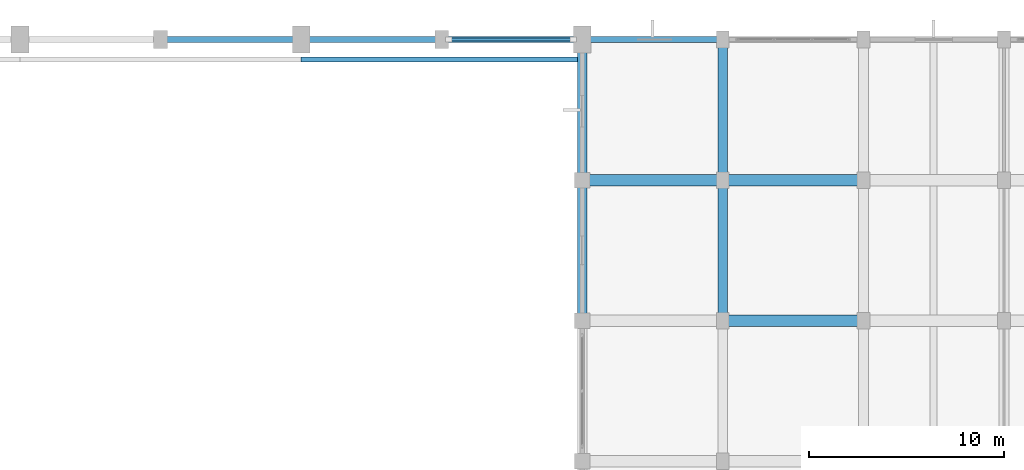
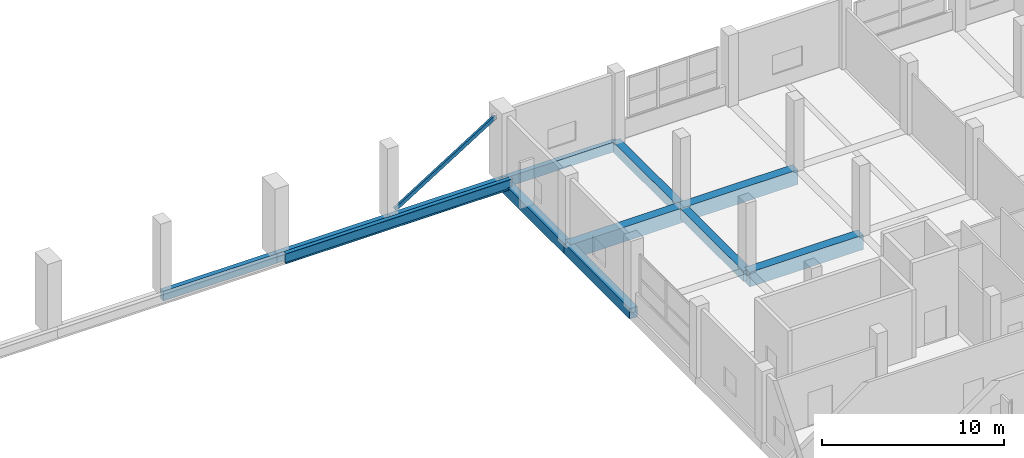
# One storey, part 78 of 140: 12 beams, 1 member.
"""IFC4 building model written with IfcOpenShell, lengths in metres."""

import ifcopenshell
import ifcopenshell.guid

model = None  # the IFC model being written
_history = None  # IfcOwnerHistory: only IFC2X3 demands one
_inside = {}  # id of a spatial element -> (the spatial element, [elements in it])
_under = {}  # id of a project, library or spatial element -> (it, [spatial elements below it])
_declared = {}  # id of a project -> (the project, [libraries it declares])
_typed = {}  # id of a type object -> (the type object, [elements of that type])
_made_of = {}  # id of a material, layer set ... -> (it, [elements and type objects made of it])


def new_model(schema):
    """Start an empty IFC model of exactly this schema.

    Asked for "IFC4X3", IfcOpenShell would pick the latest addendum, in which some entities
    have other attributes; the version numbers below select the first issue.
    IFC2X3 requires an IfcOwnerHistory on every rooted entity: one is made here for all.
    """
    global model, _history
    if schema == "IFC4X3":
        model = ifcopenshell.file(schema_version=(4, 3, 0, 0))
    else:
        model = ifcopenshell.file(schema=schema)
    _inside.clear()
    _under.clear()
    _declared.clear()
    _typed.clear()
    _made_of.clear()
    _history = None
    if model.schema == "IFC2X3":
        org = make("IfcOrganization", Name="unknown")
        user = make(
            "IfcPersonAndOrganization",
            ThePerson=make("IfcPerson", FamilyName="unknown"),
            TheOrganization=org,
        )
        app = make(
            "IfcApplication",
            ApplicationDeveloper=org,
            Version="unknown",
            ApplicationFullName="unknown",
            ApplicationIdentifier="unknown",
        )
        _history = make(
            "IfcOwnerHistory",
            OwningUser=user,
            OwningApplication=app,
            ChangeAction="ADDED",
            CreationDate=0,
        )
    return model


def make(cls, **values):
    """One entity of the class cls with the attributes given. An attribute that is None is left unset."""
    return model.create_entity(
        cls, **{name: value for name, value in values.items() if value is not None}
    )


def rooted(cls, **values):
    """An entity with a GlobalId (a new one), such as an element, a storey or a relation."""
    return make(cls, GlobalId=ifcopenshell.guid.new(), OwnerHistory=_history, **values)


def si_unit(unit_type, name, prefix=None):
    """IfcSIUnit, for example si_unit("LENGTHUNIT", "METRE", prefix="MILLI")."""
    return make("IfcSIUnit", UnitType=unit_type, Prefix=prefix, Name=name)


def assignment(units):
    """IfcUnitAssignment: the units of a project."""
    return None if units is None else make("IfcUnitAssignment", Units=units)


def point(xyz):
    """IfcCartesianPoint."""
    return None if xyz is None else make("IfcCartesianPoint", Coordinates=xyz)


def direction(xyz):
    """IfcDirection."""
    return None if xyz is None else make("IfcDirection", DirectionRatios=xyz)


def frame(location, z_axis=None, x_axis=None):
    """IfcAxis2Placement3D, a coordinate frame: its origin and axes. An axis left out is left unset."""
    return make(
        "IfcAxis2Placement3D",
        Location=point(location),
        Axis=direction(z_axis),
        RefDirection=direction(x_axis),
    )


def frame_2d(location, x_axis=None):
    """IfcAxis2Placement2D, a coordinate frame in the plane: its origin and x axis."""
    return make(
        "IfcAxis2Placement2D", Location=point(location), RefDirection=direction(x_axis)
    )


def origin():
    """The frame at (0, 0, 0) with its axes left unset."""
    return frame((0.0, 0.0, 0.0))


def origin_2d():
    """The frame at (0, 0) in the plane with its x axis left unset."""
    return frame_2d((0.0, 0.0))


def place(relative_to, where):
    """IfcLocalPlacement: puts the frame where relative to a parent placement (None: the world)."""
    return make(
        "IfcLocalPlacement", PlacementRelTo=relative_to, RelativePlacement=where
    )


def context(
    kind, dimensions, precision=None, world=None, true_north=None, identifier=None
):
    """IfcGeometricRepresentationContext, for example the 3D "Model" context."""
    return make(
        "IfcGeometricRepresentationContext",
        ContextIdentifier=identifier,
        ContextType=kind,
        CoordinateSpaceDimension=dimensions,
        Precision=precision,
        WorldCoordinateSystem=world,
        TrueNorth=true_north,
    )


def subcontext(parent, identifier, kind, view, scale=None):
    """IfcGeometricRepresentationSubContext, for example "Body" below "Model"."""
    return make(
        "IfcGeometricRepresentationSubContext",
        ContextIdentifier=identifier,
        ContextType=kind,
        ParentContext=parent,
        TargetScale=scale,
        TargetView=view,
    )


def project(units=None, contexts=None):
    """IfcProject with its units and contexts."""
    return rooted(
        "IfcProject",
        Name="project",
        RepresentationContexts=contexts,
        UnitsInContext=assignment(units),
    )


def spatial(cls, under=None, at=None, **own):
    """A site, building, storey or space (cls), placed at a placement, below another one or the project."""
    s = rooted(cls, ObjectPlacement=at, **own)
    if under is not None:
        _under.setdefault(under.id(), (under, []))[1].append(s)
    return s


def profile(cls, at=None, kind="AREA", **sizes):
    """A parametric profile (cls). Its sizes go by their IFC names, for example OverallWidth=200.0."""
    return make(cls, ProfileType=kind, Position=at, **sizes)


def rectangle(**sizes):
    """IfcRectangleProfileDef."""
    return profile("IfcRectangleProfileDef", **sizes)


def hollow_rectangle(**sizes):
    """IfcRectangleHollowProfileDef."""
    return profile("IfcRectangleHollowProfileDef", **sizes)


def i_section(**sizes):
    """IfcIShapeProfileDef."""
    return profile("IfcIShapeProfileDef", **sizes)


def extrude(swept, where, along, depth):
    """IfcExtrudedAreaSolid: the profile swept, set in the frame where, extruded along a direction by depth."""
    return make(
        "IfcExtrudedAreaSolid",
        SweptArea=swept,
        Position=where,
        ExtrudedDirection=direction(along),
        Depth=depth,
    )


def shape(context_of_items, identifier, shape_type, items):
    """IfcShapeRepresentation: the items that make up one representation, for example the "Body"."""
    return make(
        "IfcShapeRepresentation",
        ContextOfItems=context_of_items,
        RepresentationIdentifier=identifier,
        RepresentationType=shape_type,
        Items=items,
    )


def material(Name=None, Category=None):
    """IfcMaterial."""
    return make("IfcMaterial", Name=Name, Category=Category)


def material_profile(
    of_material, cross_section, Name=None, Category=None, Priority=None
):
    """IfcMaterialProfile: a cross section and its material."""
    return make(
        "IfcMaterialProfile",
        Name=Name,
        Material=of_material,
        Profile=cross_section,
        Priority=Priority,
        Category=Category,
    )


def profile_set(profiles, Name=None, composite=None):
    """IfcMaterialProfileSet."""
    return make(
        "IfcMaterialProfileSet",
        Name=Name,
        MaterialProfiles=profiles,
        CompositeProfile=composite,
    )


def made_of(thing, what):
    """Note that an element or type object is made of a material, layer set ...; save() writes the relation."""
    if what is not None:
        _made_of.setdefault(what.id(), (what, []))[1].append(thing)
    return thing


def type_object(cls, material=None, **own):
    """A type object (cls), such as IfcWallType, which elements share."""
    return made_of(rooted(cls, **own), material)


def element(
    cls,
    number,
    at=None,
    inside=None,
    cuts=None,
    type_object=None,
    material=None,
    context=None,
    identifier="Body",
    shape_type=None,
    held_by="IfcProductDefinitionShape",
    body=None,
    shapes=None,
    **own,
):
    """One element of the class cls, such as IfcWall. Its Tag is "e" and its number.

    at: its placement. inside: the storey or other place that contains it. cuts: it is an
    opening in that element (IfcRelVoidsElement). A single representation is given by context,
    identifier, shape_type and body (its items); several are given by shapes. held_by: the class
    of the entity that holds the representations. save() writes the other relations.
    """
    e = rooted(cls, Tag="e%d" % number, ObjectPlacement=at, **own)
    if body is not None:
        shapes = [shape(context, identifier, shape_type, body)]
    if shapes is not None:
        e.Representation = make(held_by, Representations=shapes)
    if inside is not None:
        _inside.setdefault(inside.id(), (inside, []))[1].append(e)
    if cuts is not None:
        rooted(
            "IfcRelVoidsElement", RelatingBuildingElement=cuts, RelatedOpeningElement=e
        )
    if type_object is not None:
        _typed.setdefault(type_object.id(), (type_object, []))[1].append(e)
    return made_of(e, material)


def aggregate(whole, parts):
    """IfcRelAggregates: a whole, such as a stair, and the parts it consists of."""
    return rooted("IfcRelAggregates", RelatingObject=whole, RelatedObjects=parts)


def save(model, path):
    """Write the relations noted so far, then the file.

    IfcRelAggregates (storeys below a building ...), IfcRelContainedInSpatialStructure (elements
    in a storey), IfcRelDefinesByType, IfcRelAssociatesMaterial and IfcRelDeclares: one each for
    every whole, place, type object, material and project.
    """
    for whole, parts in _under.values():
        aggregate(whole, parts)
    for where, things in _inside.values():
        rooted(
            "IfcRelContainedInSpatialStructure",
            RelatedElements=things,
            RelatingStructure=where,
        )
    for kind, things in _typed.values():
        rooted("IfcRelDefinesByType", RelatedObjects=things, RelatingType=kind)
    for what, things in _made_of.values():
        rooted("IfcRelAssociatesMaterial", RelatedObjects=things, RelatingMaterial=what)
    for by, libraries in _declared.values():
        rooted("IfcRelDeclares", RelatingContext=by, RelatedDefinitions=libraries)
    model.write(path)


model = new_model("IFC4")

# Units and contexts
model_context = context("Model", 3, precision=1e-05, world=origin(), true_north=direction((0.0, 1.0)))
body_context = subcontext(model_context, "Body", "Model", "MODEL_VIEW")
ifc_project = project(units=[si_unit("LENGTHUNIT", "METRE"), si_unit("AREAUNIT", "SQUARE_METRE"), si_unit("VOLUMEUNIT", "CUBIC_METRE"), si_unit("PLANEANGLEUNIT", "RADIAN"), si_unit("MASSUNIT", "GRAM", prefix="KILO")], contexts=[model_context])

# Site, building, storey
site_placement = place(None, origin())
site = spatial("IfcSite", under=ifc_project, at=site_placement, CompositionType="ELEMENT")
building_placement = place(site_placement, origin())
building = spatial("IfcBuilding", under=site, at=building_placement, Name="Seraya Terrace Polytechnic", CompositionType="ELEMENT")
storey_placement = place(building_placement, frame((0.0, 0.0, 9.60009765625)))
storey = spatial("IfcBuildingStorey", under=building, at=storey_placement, Name="L02", CompositionType="ELEMENT", Elevation=9.60009765625)

# Beams
ifc_material_1 = material(Name="Concrete C40/50", Category="concrete")
ifc_material_profile_1 = material_profile(ifc_material_1, rectangle(XDim=0.580078125, YDim=0.97998046875, at=origin_2d()), Name="RC 580x980")
ifc_profile_set_1 = profile_set([ifc_material_profile_1], Name="Concrete C40/50")
beam_type_1 = type_object("IfcBeamType", Name="BM-02", PredefinedType="BEAM", material=ifc_profile_set_1)
beam_1_placement = place(storey_placement, frame((122.39990234375, 100.800048828125, -0.489990234375), z_axis=(1.0, 0.0, 0.0), x_axis=(0.0, 1.0, 0.0)))
element("IfcBeam", 1, at=beam_1_placement, inside=storey, type_object=beam_type_1, Name="Beam BM-02 L02 X (122.4..129.6, 100.8)", PredefinedType="BEAM", context=body_context, shape_type="SweptSolid", body=[
    extrude(rectangle(XDim=0.580078125, YDim=0.97998046875, at=origin_2d()), origin(), (0.0, 0.0, 1.0), 7.2001953125),
])
beam_2_placement = place(storey_placement, frame((115.199951171875, 108.0, -0.489990234375), z_axis=(1.0, 0.0, 0.0), x_axis=(0.0, 1.0, 0.0)))
element("IfcBeam", 2, at=beam_2_placement, inside=storey, type_object=beam_type_1, Name="Beam BM-02 L02 X (115.2..122.4, 108.0)", PredefinedType="BEAM", context=body_context, shape_type="SweptSolid", body=[
    extrude(rectangle(XDim=0.580078125, YDim=0.97998046875, at=origin_2d()), origin(), (0.0, 0.0, 1.0), 7.199951171875),
])
beam_3_placement = place(storey_placement, frame((122.39990234375, 108.0, -0.489990234375), z_axis=(1.0, 0.0, 0.0), x_axis=(0.0, 1.0, 0.0)))
element("IfcBeam", 3, at=beam_3_placement, inside=storey, type_object=beam_type_1, Name="Beam BM-02 L02 X (122.4..129.6, 108.0)", PredefinedType="BEAM", context=body_context, shape_type="SweptSolid", body=[
    extrude(rectangle(XDim=0.580078125, YDim=0.97998046875, at=origin_2d()), origin(), (0.0, 0.0, 1.0), 7.2001953125),
])
ifc_material_profile_2 = material_profile(ifc_material_1, rectangle(XDim=0.5, YDim=0.699951171875, at=origin_2d()), Name="RC 500x700")
ifc_profile_set_2 = profile_set([ifc_material_profile_2], Name="Concrete C40/50")
beam_type_2 = type_object("IfcBeamType", Name="BM-07", PredefinedType="BEAM", material=ifc_profile_set_2)
for number, where, z_axis, x_axis, name in (
    (4, (115.199951171875, 100.800048828125, -0.35009765625), (0.0, 1.0, 0.0), (-1.0, 0.0, 0.0), "Beam BM-07 L02 Y (115.2, 100.8..108.0)"),
    (5, (115.199951171875, 108.0, -0.35009765625), (0.0, 1.0, 0.0), (-1.0, 0.0, 0.0), "Beam BM-07 L02 Y (115.2, 108.0..115.2)"),
    (6, (122.39990234375, 100.800048828125, -0.35009765625), (0.0, 1.0, 0.0), (-1.0, 0.0, 0.0), "Beam BM-07 L02 Y (122.4, 100.8..108.0)"),
    (7, (122.39990234375, 108.0, -0.35009765625), (0.0, 1.0, 0.0), (-1.0, 0.0, 0.0), "Beam BM-07 L02 Y (122.4, 108.0..115.2)"),
):
    element("IfcBeam", number, at=place(storey_placement, frame(where, z_axis=z_axis, x_axis=x_axis)), inside=storey, type_object=beam_type_2, Name=name, PredefinedType="BEAM", context=body_context, shape_type="SweptSolid", body=[
        extrude(rectangle(XDim=0.5, YDim=0.699951171875, at=origin_2d()), origin(), (0.0, 0.0, 1.0), 7.199951171875),
    ])

# Member
ifc_material_2 = material(Name="Steel S355J2", Category="steel")
ifc_material_profile_3 = material_profile(ifc_material_2, hollow_rectangle(XDim=0.14990234375, YDim=0.25, WallThickness=0.010009765625, at=origin_2d()), Name="RHS 250x150x10.0")
ifc_profile_set_3 = profile_set([ifc_material_profile_3], Name="Steel S355J2")
member_type = type_object("IfcMemberType", Name="BR-05", PredefinedType="BRACE", material=ifc_profile_set_3)
member_placement = place(storey_placement, frame((108.364990234375, 115.199951171875, 0.25), z_axis=(0.846880470544, 0.0, 0.531783291024), x_axis=(0.0, 1.0, 0.0)))
element("IfcMember", 8, at=member_placement, inside=storey, type_object=member_type, Name="Solid-bay vertical wind brace L02 NE", PredefinedType="BRACE", context=body_context, shape_type="SweptSolid", body=[
    extrude(hollow_rectangle(XDim=0.14990234375, YDim=0.25, WallThickness=0.010009765625, at=origin_2d()), origin(), (0.0, 0.0, 1.0), 7.52197265625),
])

# Beams
ifc_material_profile_4 = material_profile(ifc_material_2, i_section(OverallWidth=0.25390625, OverallDepth=0.68603515625, WebThickness=0.012451171875, FlangeThickness=0.01904296875, at=origin_2d()), Name="UKB 686x254x12.4x19.0")
ifc_profile_set_4 = profile_set([ifc_material_profile_4], Name="Steel S355J2")
beam_type_3 = type_object("IfcBeamType", Name="CRB-02", PredefinedType="USERDEFINED", material=ifc_profile_set_4)
beam_4_placement = place(storey_placement, frame((100.800048828125, 114.179931640625, 0.2568359375), z_axis=(1.0, 0.0, 0.0), x_axis=(0.0, 1.0, 0.0)))
element("IfcBeam", 9, at=beam_4_placement, inside=storey, type_object=beam_type_3, Name="Crane runway girder CRB-02 bay 6 (N)", ObjectType="CRANE_RUNWAY_BEAM", PredefinedType="USERDEFINED", context=body_context, shape_type="SweptSolid", body=[
    extrude(i_section(OverallWidth=0.25390625, OverallDepth=0.68603515625, WebThickness=0.012451171875, FlangeThickness=0.01904296875, at=origin_2d()), origin(), (0.0, 0.0, 1.0), 14.39990234375),
])
ifc_material_profile_5 = material_profile(ifc_material_1, rectangle(XDim=0.300048828125, YDim=0.64990234375, at=origin_2d()), Name="RC 300x650")
ifc_profile_set_5 = profile_set([ifc_material_profile_5], Name="Concrete C40/50")
beam_type_4 = type_object("IfcBeamType", Name="SP-01", PredefinedType="SPANDREL", material=ifc_profile_set_5)
for number, where, z_axis, x_axis, name in (
    (10, (93.60009765625, 115.199951171875, -0.3251953125), (1.0, 0.0, 0.0), (0.0, 1.0, 0.0), "Beam SP-01 L02 X (93.6..100.8, 115.2)"),
    (11, (100.800048828125, 115.199951171875, -0.3251953125), (1.0, 0.0, 0.0), (0.0, 1.0, 0.0), "Beam SP-01 L02 X (100.8..108.0, 115.2)"),
    (12, (108.0, 115.199951171875, -0.3251953125), (1.0, 0.0, 0.0), (0.0, 1.0, 0.0), "Beam SP-01 L02 X (108.0..115.2, 115.2)"),
    (13, (115.199951171875, 115.199951171875, -0.3251953125), (1.0, 0.0, 0.0), (0.0, 1.0, 0.0), "Beam SP-01 L02 X (115.2..122.4, 115.2)"),
):
    element("IfcBeam", number, at=place(storey_placement, frame(where, z_axis=z_axis, x_axis=x_axis)), inside=storey, type_object=beam_type_4, Name=name, PredefinedType="SPANDREL", context=body_context, shape_type="SweptSolid", body=[
        extrude(rectangle(XDim=0.300048828125, YDim=0.64990234375, at=origin_2d()), origin(), (0.0, 0.0, 1.0), 7.199951171875),
    ])

save(model, "model.ifc")
